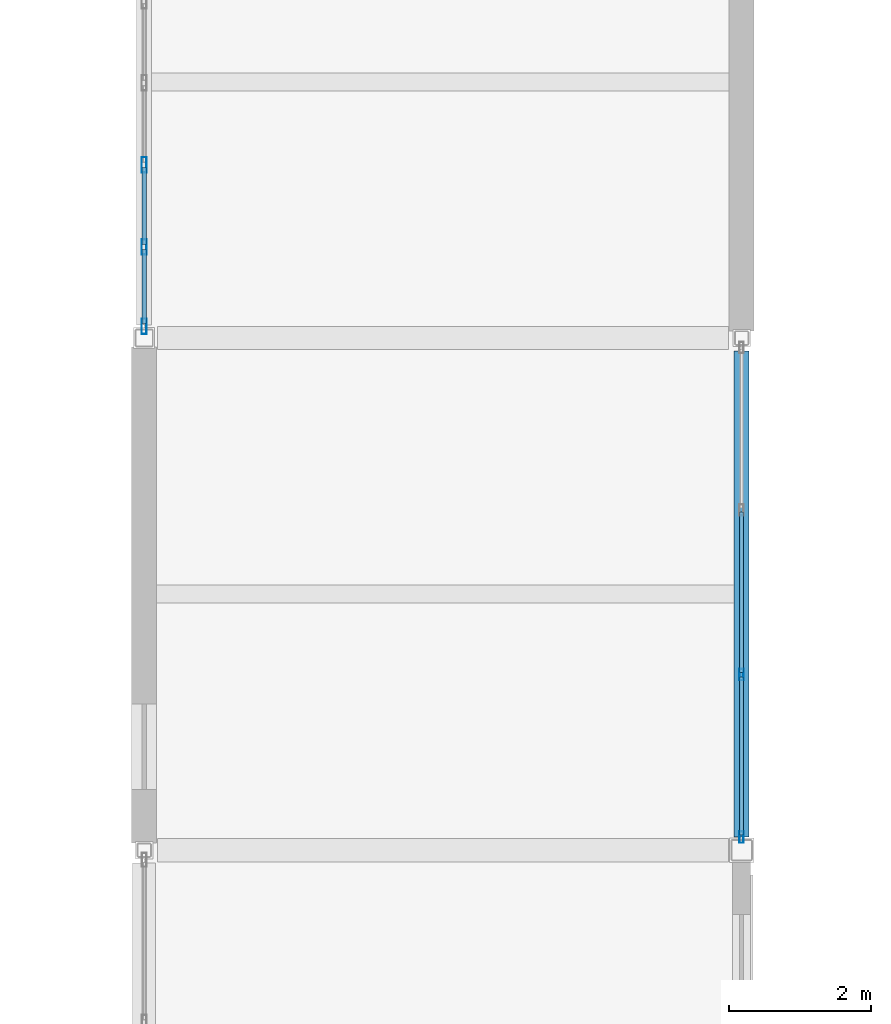
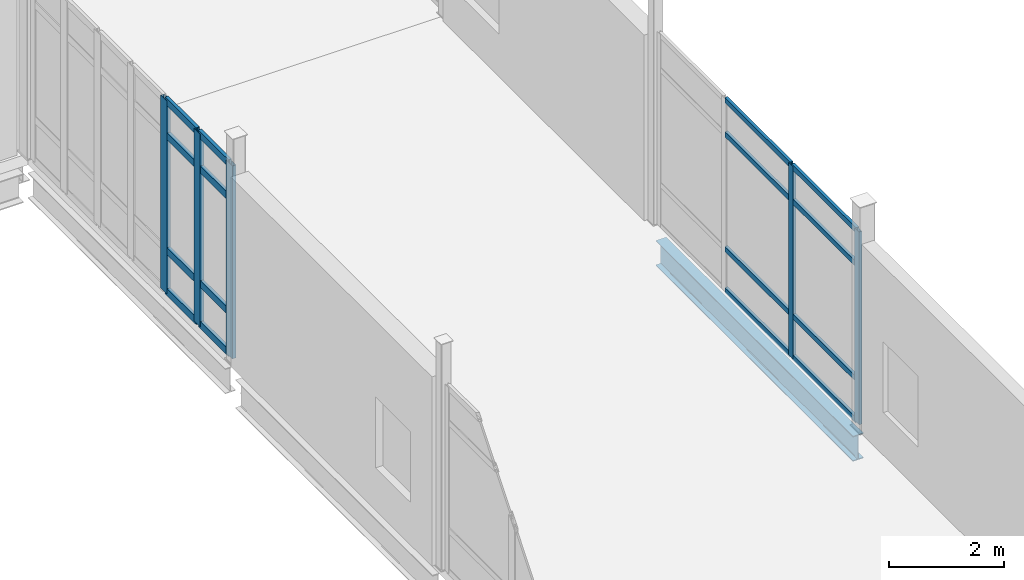
# One storey, part 55 of 153: 21 members, 1 beam, 2 elements without a shape of their own.
"""IFC4 building model written with IfcOpenShell, lengths in metres."""

from ifc_helpers import new_model, si_unit, direction, frame, origin, origin_2d, place, context, subcontext, project, spatial, hollow_rectangle, i_section, extrude, material, layer, layer_set, material_profile, profile_set, type_object, element, aggregate, save


model = new_model("IFC4")

# Units and contexts
model_context = context("Model", 3, precision=1e-05, world=origin(), true_north=direction((0.0, 1.0)))
body_context = subcontext(model_context, "Body", "Model", "MODEL_VIEW")
ifc_project = project(units=[si_unit("LENGTHUNIT", "METRE"), si_unit("AREAUNIT", "SQUARE_METRE"), si_unit("VOLUMEUNIT", "CUBIC_METRE"), si_unit("PLANEANGLEUNIT", "RADIAN"), si_unit("MASSUNIT", "GRAM", prefix="KILO")], contexts=[model_context])

# Site, building, storey
site_placement = place(None, origin())
site = spatial("IfcSite", under=ifc_project, at=site_placement, CompositionType="ELEMENT")
building_placement = place(site_placement, origin())
building = spatial("IfcBuilding", under=site, at=building_placement, Name="Calvrana Isthmian Art Gallery", CompositionType="ELEMENT")
storey_placement = place(building_placement, frame((0.0, 0.0, 10.199951171875)))
storey = spatial("IfcBuildingStorey", under=building, at=storey_placement, Name="L02", CompositionType="ELEMENT", Elevation=10.199951171875)

# Beam
ifc_material_1 = material(Name="Steel ASTM A992 Gr 50", Category="steel")
ifc_material_profile_1 = material_profile(ifc_material_1, i_section(OverallWidth=0.208984375, OverallDepth=0.532958984375, WebThickness=0.01025390625, FlangeThickness=0.015625, FilletRadius=0.02099609375, at=origin_2d()), Name="W21X62")
ifc_profile_set_1 = profile_set([ifc_material_profile_1], Name="Steel ASTM A992 Gr 50")
beam_type = type_object("IfcBeamType", Name="BM-G-W21X62", PredefinedType="BEAM", material=ifc_profile_set_1)
beam_placement = place(storey_placement, frame((63.60009765625, 84.181396484375, -0.531494140625), z_axis=(0.0, 1.0, 0.0), x_axis=(-1.0, 0.0, 0.0)))
element("IfcBeam", 1, at=beam_placement, inside=storey, type_object=beam_type, Name="Girder Y L02 09/L-M", PredefinedType="BEAM", context=body_context, shape_type="SweptSolid", body=[
    extrude(i_section(OverallWidth=0.208984375, OverallDepth=0.532958984375, WebThickness=0.01025390625, FlangeThickness=0.015625, FilletRadius=0.02099609375, at=origin_2d()), origin(), (0.0, 0.0, 1.0), 6.834716796875),
])

# Curtain wall, members
ifc_material_2 = material(Name="Anodized bronze aluminium 6063-T6", Category="aluminium")
ifc_layer = layer(ifc_material_2, 0.179931640625, Name="Anodized bronze aluminium 6063-T6")
ifc_layer_set = layer_set([ifc_layer], Name="Anodized bronze aluminium 6063-T6")
curtain_wall_type = type_object("IfcCurtainWallType", Name="CW-UNIT-069X41", PredefinedType="USERDEFINED", material=ifc_layer_set)
curtain_wall_1_placement = place(storey_placement, origin())
curtain_wall_1 = element("IfcCurtainWall", 2, at=curtain_wall_1_placement, inside=storey, type_object=curtain_wall_type, Name="Curtain wall CW-175", ObjectType="UNITISED CURTAIN WALL", PredefinedType="USERDEFINED")
ifc_material_profile_2 = material_profile(ifc_material_2, hollow_rectangle(XDim=0.06005859375, YDim=0.159912109375, WallThickness=0.00390625, at=origin_2d()), Name="CWM60X160")
ifc_profile_set_2 = profile_set([ifc_material_profile_2], Name="Anodized bronze aluminium 6063-T6")
member_type_1 = type_object("IfcMemberType", Name="CWM-CWM60X160", PredefinedType="MULLION", material=ifc_profile_set_2)
member_1_placement = place(storey_placement, frame((63.60009765625, 86.4677734375, 0.0), z_axis=(0.0, 0.0, 1.0), x_axis=(1.0, 0.0, 0.0)))
member_1 = element("IfcMember", 3, at=member_1_placement, type_object=member_type_1, Name="CW-175 mullion 3", PredefinedType="MULLION", context=body_context, shape_type="SweptSolid", body=[
    extrude(hollow_rectangle(XDim=0.06005859375, YDim=0.159912109375, WallThickness=0.00390625, at=origin_2d()), origin(), (0.0, 0.0, 1.0), 4.078125),
])
member_2_placement = place(storey_placement, frame((63.60009765625, 84.182373046875, 0.0), z_axis=(0.0, 0.0, 1.0), x_axis=(1.0, 0.0, 0.0)))
member_2 = element("IfcMember", 4, at=member_2_placement, type_object=member_type_1, Name="CW-175 mullion 4", PredefinedType="MULLION", context=body_context, shape_type="SweptSolid", body=[
    extrude(hollow_rectangle(XDim=0.06005859375, YDim=0.159912109375, WallThickness=0.00390625, at=origin_2d()), origin(), (0.0, 0.0, 1.0), 4.078125),
])

curtain_wall_2_placement = place(storey_placement, origin())
curtain_wall_2 = element("IfcCurtainWall", 5, at=curtain_wall_2_placement, inside=storey, type_object=curtain_wall_type, Name="Curtain wall CW-172", ObjectType="UNITISED CURTAIN WALL", PredefinedType="USERDEFINED")
ifc_material_profile_3 = material_profile(ifc_material_2, hollow_rectangle(XDim=0.074951171875, YDim=0.219970703125, WallThickness=0.0048828125, at=origin_2d()), Name="CWM75X220")
ifc_profile_set_3 = profile_set([ifc_material_profile_3], Name="Anodized bronze aluminium 6063-T6")
member_type_2 = type_object("IfcMemberType", Name="CWM-CWM75X220", PredefinedType="MULLION", material=ifc_profile_set_3)
member_3_placement = place(storey_placement, frame((55.199951171875, 91.364501953125, 0.0), z_axis=(0.0, 0.0, 1.0), x_axis=(-1.0, 0.0, 0.0)))
member_3 = element("IfcMember", 6, at=member_3_placement, type_object=member_type_2, Name="CW-172 mullion 1", PredefinedType="MULLION", context=body_context, shape_type="SweptSolid", body=[
    extrude(hollow_rectangle(XDim=0.074951171875, YDim=0.219970703125, WallThickness=0.0048828125, at=origin_2d()), origin(), (0.0, 0.0, 1.0), 4.078125),
])
member_4_placement = place(storey_placement, frame((55.199951171875, 92.48046875, 0.0), z_axis=(0.0, 0.0, 1.0), x_axis=(-1.0, 0.0, 0.0)))
member_4 = element("IfcMember", 7, at=member_4_placement, type_object=member_type_2, Name="CW-172 mullion 2", PredefinedType="MULLION", context=body_context, shape_type="SweptSolid", body=[
    extrude(hollow_rectangle(XDim=0.074951171875, YDim=0.219970703125, WallThickness=0.0048828125, at=origin_2d()), origin(), (0.0, 0.0, 1.0), 4.078125),
])
member_5_placement = place(storey_placement, frame((55.199951171875, 93.6337890625, 0.0), z_axis=(0.0, 0.0, 1.0), x_axis=(-1.0, 0.0, 0.0)))
member_5 = element("IfcMember", 8, at=member_5_placement, type_object=member_type_2, Name="CW-172 mullion 3", PredefinedType="MULLION", context=body_context, shape_type="SweptSolid", body=[
    extrude(hollow_rectangle(XDim=0.074951171875, YDim=0.219970703125, WallThickness=0.0048828125, at=origin_2d()), origin(), (0.0, 0.0, 1.0), 4.078125),
])

# Member
ifc_material_profile_4 = material_profile(ifc_material_2, hollow_rectangle(XDim=0.06005859375, YDim=0.110107421875, WallThickness=0.00341796875, at=origin_2d()), Name="CWT60X110")
ifc_profile_set_4 = profile_set([ifc_material_profile_4], Name="Anodized bronze aluminium 6063-T6")
member_type_3 = type_object("IfcMemberType", Name="CWT-CWT60X110", PredefinedType="USERDEFINED", material=ifc_profile_set_4)
member_6_placement = place(storey_placement, frame((63.60009765625, 88.753173828125, 0.030029296875), z_axis=(0.0, -1.0, 0.0), x_axis=(1.0, 0.0, 0.0)))
member_6 = element("IfcMember", 9, at=member_6_placement, type_object=member_type_3, Name="CW-175 transom 2.1", ObjectType="TRANSOM", PredefinedType="USERDEFINED", context=body_context, shape_type="SweptSolid", body=[
    extrude(hollow_rectangle(XDim=0.06005859375, YDim=0.110107421875, WallThickness=0.00341796875, at=origin_2d()), origin(), (0.0, 0.0, 1.0), 2.25537109375),
])

member_7_placement = place(storey_placement, frame((63.60009765625, 88.753173828125, 0.900146484375), z_axis=(0.0, -1.0, 0.0), x_axis=(1.0, 0.0, 0.0)))
member_7 = element("IfcMember", 10, at=member_7_placement, type_object=member_type_3, Name="CW-175 transom 2.2", ObjectType="TRANSOM", PredefinedType="USERDEFINED", context=body_context, shape_type="SweptSolid", body=[
    extrude(hollow_rectangle(XDim=0.06005859375, YDim=0.110107421875, WallThickness=0.00341796875, at=origin_2d()), origin(), (0.0, 0.0, 1.0), 2.25537109375),
])

member_8_placement = place(storey_placement, frame((63.60009765625, 88.753173828125, 3.328125), z_axis=(0.0, -1.0, 0.0), x_axis=(1.0, 0.0, 0.0)))
member_8 = element("IfcMember", 11, at=member_8_placement, type_object=member_type_3, Name="CW-175 transom 2.3", ObjectType="TRANSOM", PredefinedType="USERDEFINED", context=body_context, shape_type="SweptSolid", body=[
    extrude(hollow_rectangle(XDim=0.06005859375, YDim=0.110107421875, WallThickness=0.00341796875, at=origin_2d()), origin(), (0.0, 0.0, 1.0), 2.25537109375),
])

member_9_placement = place(storey_placement, frame((63.60009765625, 88.753173828125, 4.048095703125), z_axis=(0.0, -1.0, 0.0), x_axis=(1.0, 0.0, 0.0)))
member_9 = element("IfcMember", 12, at=member_9_placement, type_object=member_type_3, Name="CW-175 transom 2.4", ObjectType="TRANSOM", PredefinedType="USERDEFINED", context=body_context, shape_type="SweptSolid", body=[
    extrude(hollow_rectangle(XDim=0.06005859375, YDim=0.110107421875, WallThickness=0.00341796875, at=origin_2d()), origin(), (0.0, 0.0, 1.0), 2.25537109375),
])

member_10_placement = place(storey_placement, frame((63.60009765625, 86.437744140625, 0.030029296875), z_axis=(0.0, -1.0, 0.0), x_axis=(1.0, 0.0, 0.0)))
member_10 = element("IfcMember", 13, at=member_10_placement, type_object=member_type_3, Name="CW-175 transom 3.1", ObjectType="TRANSOM", PredefinedType="USERDEFINED", context=body_context, shape_type="SweptSolid", body=[
    extrude(hollow_rectangle(XDim=0.06005859375, YDim=0.110107421875, WallThickness=0.00341796875, at=origin_2d()), origin(), (0.0, 0.0, 1.0), 2.225341796875),
])

member_11_placement = place(storey_placement, frame((63.60009765625, 86.437744140625, 0.900146484375), z_axis=(0.0, -1.0, 0.0), x_axis=(1.0, 0.0, 0.0)))
member_11 = element("IfcMember", 14, at=member_11_placement, type_object=member_type_3, Name="CW-175 transom 3.2", ObjectType="TRANSOM", PredefinedType="USERDEFINED", context=body_context, shape_type="SweptSolid", body=[
    extrude(hollow_rectangle(XDim=0.06005859375, YDim=0.110107421875, WallThickness=0.00341796875, at=origin_2d()), origin(), (0.0, 0.0, 1.0), 2.225341796875),
])

member_12_placement = place(storey_placement, frame((63.60009765625, 86.437744140625, 3.328125), z_axis=(0.0, -1.0, 0.0), x_axis=(1.0, 0.0, 0.0)))
member_12 = element("IfcMember", 15, at=member_12_placement, type_object=member_type_3, Name="CW-175 transom 3.3", ObjectType="TRANSOM", PredefinedType="USERDEFINED", context=body_context, shape_type="SweptSolid", body=[
    extrude(hollow_rectangle(XDim=0.06005859375, YDim=0.110107421875, WallThickness=0.00341796875, at=origin_2d()), origin(), (0.0, 0.0, 1.0), 2.225341796875),
])

member_13_placement = place(storey_placement, frame((63.60009765625, 86.437744140625, 4.048095703125), z_axis=(0.0, -1.0, 0.0), x_axis=(1.0, 0.0, 0.0)))
member_13 = element("IfcMember", 16, at=member_13_placement, type_object=member_type_3, Name="CW-175 transom 3.4", ObjectType="TRANSOM", PredefinedType="USERDEFINED", context=body_context, shape_type="SweptSolid", body=[
    extrude(hollow_rectangle(XDim=0.06005859375, YDim=0.110107421875, WallThickness=0.00341796875, at=origin_2d()), origin(), (0.0, 0.0, 1.0), 2.225341796875),
])

aggregate(curtain_wall_1, [member_1, member_2, member_6, member_7, member_8, member_9, member_10, member_11, member_12, member_13])

ifc_material_profile_5 = material_profile(ifc_material_2, hollow_rectangle(XDim=0.06494140625, YDim=0.14990234375, WallThickness=0.00390625, at=origin_2d()), Name="CWT65X150")
ifc_profile_set_5 = profile_set([ifc_material_profile_5], Name="Anodized bronze aluminium 6063-T6")
member_type_4 = type_object("IfcMemberType", Name="CWT-CWT65X150", PredefinedType="USERDEFINED", material=ifc_profile_set_5)
member_14_placement = place(storey_placement, frame((55.199951171875, 91.402099609375, 0.032470703125), z_axis=(0.0, 1.0, 0.0), x_axis=(-1.0, 0.0, 0.0)))
member_14 = element("IfcMember", 17, at=member_14_placement, type_object=member_type_4, Name="CW-172 transom 1.1", ObjectType="TRANSOM", PredefinedType="USERDEFINED", context=body_context, shape_type="SweptSolid", body=[
    extrude(hollow_rectangle(XDim=0.06494140625, YDim=0.14990234375, WallThickness=0.00390625, at=origin_2d()), origin(), (0.0, 0.0, 1.0), 1.040771484375),
])

member_15_placement = place(storey_placement, frame((55.199951171875, 91.402099609375, 0.900146484375), z_axis=(0.0, 1.0, 0.0), x_axis=(-1.0, 0.0, 0.0)))
member_15 = element("IfcMember", 18, at=member_15_placement, type_object=member_type_4, Name="CW-172 transom 1.2", ObjectType="TRANSOM", PredefinedType="USERDEFINED", context=body_context, shape_type="SweptSolid", body=[
    extrude(hollow_rectangle(XDim=0.06494140625, YDim=0.14990234375, WallThickness=0.00390625, at=origin_2d()), origin(), (0.0, 0.0, 1.0), 1.040771484375),
])

member_16_placement = place(storey_placement, frame((55.199951171875, 91.402099609375, 3.328125), z_axis=(0.0, 1.0, 0.0), x_axis=(-1.0, 0.0, 0.0)))
member_16 = element("IfcMember", 19, at=member_16_placement, type_object=member_type_4, Name="CW-172 transom 1.3", ObjectType="TRANSOM", PredefinedType="USERDEFINED", context=body_context, shape_type="SweptSolid", body=[
    extrude(hollow_rectangle(XDim=0.06494140625, YDim=0.14990234375, WallThickness=0.00390625, at=origin_2d()), origin(), (0.0, 0.0, 1.0), 1.040771484375),
])

member_17_placement = place(storey_placement, frame((55.199951171875, 91.402099609375, 4.045654296875), z_axis=(0.0, 1.0, 0.0), x_axis=(-1.0, 0.0, 0.0)))
member_17 = element("IfcMember", 20, at=member_17_placement, type_object=member_type_4, Name="CW-172 transom 1.4", ObjectType="TRANSOM", PredefinedType="USERDEFINED", context=body_context, shape_type="SweptSolid", body=[
    extrude(hollow_rectangle(XDim=0.06494140625, YDim=0.14990234375, WallThickness=0.00390625, at=origin_2d()), origin(), (0.0, 0.0, 1.0), 1.040771484375),
])

member_18_placement = place(storey_placement, frame((55.199951171875, 92.517822265625, 0.032470703125), z_axis=(0.0, 1.0, 0.0), x_axis=(-1.0, 0.0, 0.0)))
member_18 = element("IfcMember", 21, at=member_18_placement, type_object=member_type_4, Name="CW-172 transom 2.1", ObjectType="TRANSOM", PredefinedType="USERDEFINED", context=body_context, shape_type="SweptSolid", body=[
    extrude(hollow_rectangle(XDim=0.06494140625, YDim=0.14990234375, WallThickness=0.00390625, at=origin_2d()), origin(), (0.0, 0.0, 1.0), 1.07861328125),
])

member_19_placement = place(storey_placement, frame((55.199951171875, 92.517822265625, 0.900146484375), z_axis=(0.0, 1.0, 0.0), x_axis=(-1.0, 0.0, 0.0)))
member_19 = element("IfcMember", 22, at=member_19_placement, type_object=member_type_4, Name="CW-172 transom 2.2", ObjectType="TRANSOM", PredefinedType="USERDEFINED", context=body_context, shape_type="SweptSolid", body=[
    extrude(hollow_rectangle(XDim=0.06494140625, YDim=0.14990234375, WallThickness=0.00390625, at=origin_2d()), origin(), (0.0, 0.0, 1.0), 1.07861328125),
])

member_20_placement = place(storey_placement, frame((55.199951171875, 92.517822265625, 3.328125), z_axis=(0.0, 1.0, 0.0), x_axis=(-1.0, 0.0, 0.0)))
member_20 = element("IfcMember", 23, at=member_20_placement, type_object=member_type_4, Name="CW-172 transom 2.3", ObjectType="TRANSOM", PredefinedType="USERDEFINED", context=body_context, shape_type="SweptSolid", body=[
    extrude(hollow_rectangle(XDim=0.06494140625, YDim=0.14990234375, WallThickness=0.00390625, at=origin_2d()), origin(), (0.0, 0.0, 1.0), 1.07861328125),
])

member_21_placement = place(storey_placement, frame((55.199951171875, 92.517822265625, 4.045654296875), z_axis=(0.0, 1.0, 0.0), x_axis=(-1.0, 0.0, 0.0)))
member_21 = element("IfcMember", 24, at=member_21_placement, type_object=member_type_4, Name="CW-172 transom 2.4", ObjectType="TRANSOM", PredefinedType="USERDEFINED", context=body_context, shape_type="SweptSolid", body=[
    extrude(hollow_rectangle(XDim=0.06494140625, YDim=0.14990234375, WallThickness=0.00390625, at=origin_2d()), origin(), (0.0, 0.0, 1.0), 1.07861328125),
])

aggregate(curtain_wall_2, [member_3, member_4, member_5, member_14, member_15, member_16, member_17, member_18, member_19, member_20, member_21])

save(model, "model.ifc")
